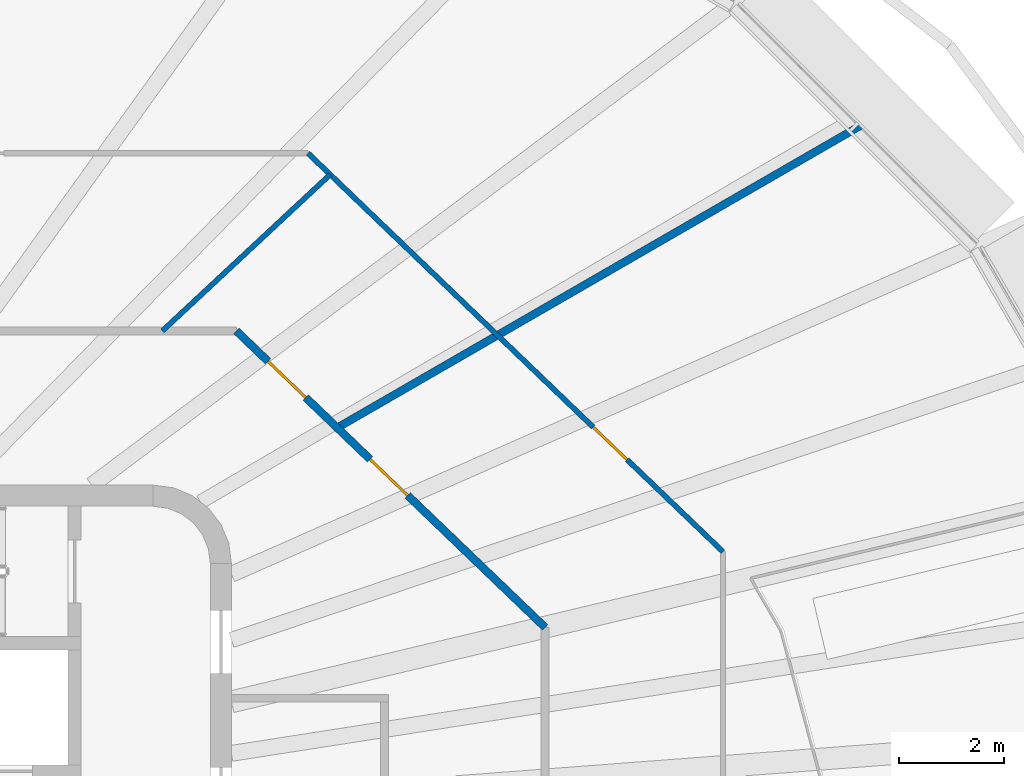
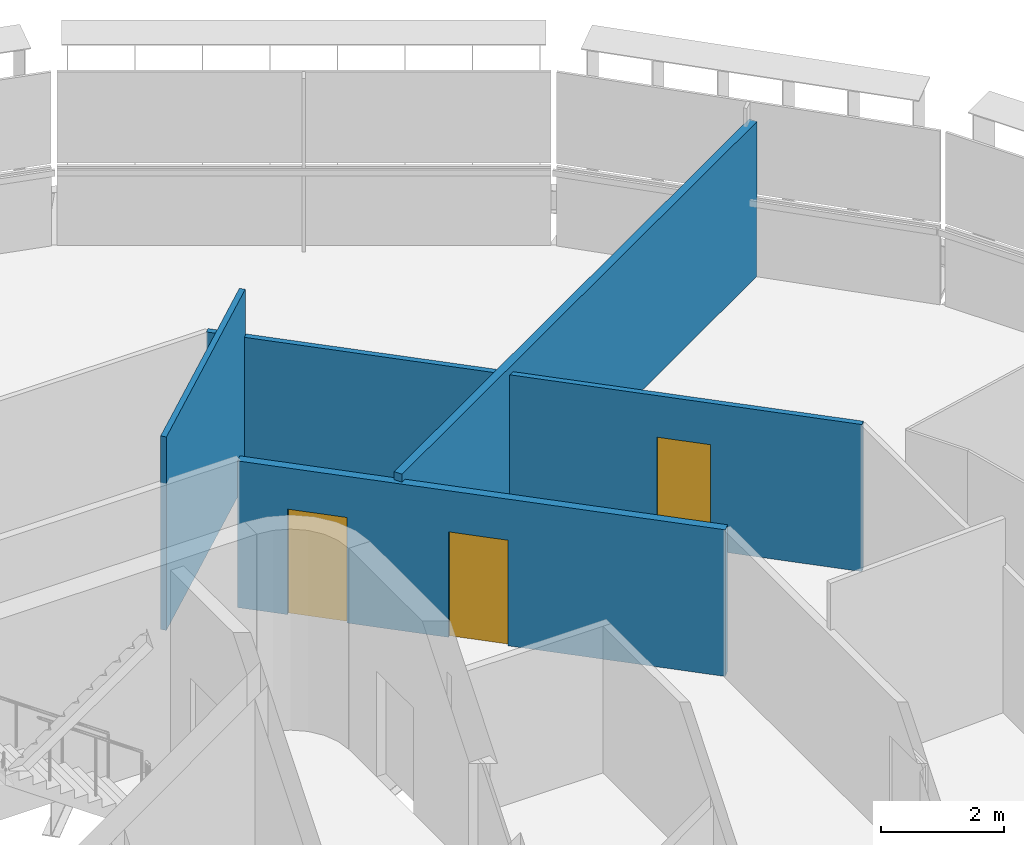
# One storey, part 12 of 21: 4 walls, 3 doors, 3 openings.
"""IFC4 building model written with IfcOpenShell, lengths in metres."""

import ifcopenshell
import ifcopenshell.guid

model = None  # the IFC model being written
_history = None  # IfcOwnerHistory: only IFC2X3 demands one
_inside = {}  # id of a spatial element -> (the spatial element, [elements in it])
_under = {}  # id of a project, library or spatial element -> (it, [spatial elements below it])
_declared = {}  # id of a project -> (the project, [libraries it declares])
_typed = {}  # id of a type object -> (the type object, [elements of that type])
_made_of = {}  # id of a material, layer set ... -> (it, [elements and type objects made of it])


def new_model(schema):
    """Start an empty IFC model of exactly this schema.

    Asked for "IFC4X3", IfcOpenShell would pick the latest addendum, in which some entities
    have other attributes; the version numbers below select the first issue.
    IFC2X3 requires an IfcOwnerHistory on every rooted entity: one is made here for all.
    """
    global model, _history
    if schema == "IFC4X3":
        model = ifcopenshell.file(schema_version=(4, 3, 0, 0))
    else:
        model = ifcopenshell.file(schema=schema)
    _inside.clear()
    _under.clear()
    _declared.clear()
    _typed.clear()
    _made_of.clear()
    _history = None
    if model.schema == "IFC2X3":
        org = make("IfcOrganization", Name="unknown")
        user = make(
            "IfcPersonAndOrganization",
            ThePerson=make("IfcPerson", FamilyName="unknown"),
            TheOrganization=org,
        )
        app = make(
            "IfcApplication",
            ApplicationDeveloper=org,
            Version="unknown",
            ApplicationFullName="unknown",
            ApplicationIdentifier="unknown",
        )
        _history = make(
            "IfcOwnerHistory",
            OwningUser=user,
            OwningApplication=app,
            ChangeAction="ADDED",
            CreationDate=0,
        )
    return model


def make(cls, **values):
    """One entity of the class cls with the attributes given. An attribute that is None is left unset."""
    return model.create_entity(
        cls, **{name: value for name, value in values.items() if value is not None}
    )


def rooted(cls, **values):
    """An entity with a GlobalId (a new one), such as an element, a storey or a relation."""
    return make(cls, GlobalId=ifcopenshell.guid.new(), OwnerHistory=_history, **values)


def si_unit(unit_type, name, prefix=None):
    """IfcSIUnit, for example si_unit("LENGTHUNIT", "METRE", prefix="MILLI")."""
    return make("IfcSIUnit", UnitType=unit_type, Prefix=prefix, Name=name)


def assignment(units):
    """IfcUnitAssignment: the units of a project."""
    return None if units is None else make("IfcUnitAssignment", Units=units)


def point(xyz):
    """IfcCartesianPoint."""
    return None if xyz is None else make("IfcCartesianPoint", Coordinates=xyz)


def direction(xyz):
    """IfcDirection."""
    return None if xyz is None else make("IfcDirection", DirectionRatios=xyz)


def frame(location, z_axis=None, x_axis=None):
    """IfcAxis2Placement3D, a coordinate frame: its origin and axes. An axis left out is left unset."""
    return make(
        "IfcAxis2Placement3D",
        Location=point(location),
        Axis=direction(z_axis),
        RefDirection=direction(x_axis),
    )


def frame_2d(location, x_axis=None):
    """IfcAxis2Placement2D, a coordinate frame in the plane: its origin and x axis."""
    return make(
        "IfcAxis2Placement2D", Location=point(location), RefDirection=direction(x_axis)
    )


def origin():
    """The frame at (0, 0, 0) with its axes left unset."""
    return frame((0.0, 0.0, 0.0))


def place(relative_to, where):
    """IfcLocalPlacement: puts the frame where relative to a parent placement (None: the world)."""
    return make(
        "IfcLocalPlacement", PlacementRelTo=relative_to, RelativePlacement=where
    )


def context(
    kind, dimensions, precision=None, world=None, true_north=None, identifier=None
):
    """IfcGeometricRepresentationContext, for example the 3D "Model" context."""
    return make(
        "IfcGeometricRepresentationContext",
        ContextIdentifier=identifier,
        ContextType=kind,
        CoordinateSpaceDimension=dimensions,
        Precision=precision,
        WorldCoordinateSystem=world,
        TrueNorth=true_north,
    )


def subcontext(parent, identifier, kind, view, scale=None):
    """IfcGeometricRepresentationSubContext, for example "Body" below "Model"."""
    return make(
        "IfcGeometricRepresentationSubContext",
        ContextIdentifier=identifier,
        ContextType=kind,
        ParentContext=parent,
        TargetScale=scale,
        TargetView=view,
    )


def project(units=None, contexts=None):
    """IfcProject with its units and contexts."""
    return rooted(
        "IfcProject",
        Name="project",
        RepresentationContexts=contexts,
        UnitsInContext=assignment(units),
    )


def spatial(cls, under=None, at=None, **own):
    """A site, building, storey or space (cls), placed at a placement, below another one or the project."""
    s = rooted(cls, ObjectPlacement=at, **own)
    if under is not None:
        _under.setdefault(under.id(), (under, []))[1].append(s)
    return s


def profile(cls, at=None, kind="AREA", **sizes):
    """A parametric profile (cls). Its sizes go by their IFC names, for example OverallWidth=200.0."""
    return make(cls, ProfileType=kind, Position=at, **sizes)


def rectangle(**sizes):
    """IfcRectangleProfileDef."""
    return profile("IfcRectangleProfileDef", **sizes)


def extrude(swept, where, along, depth):
    """IfcExtrudedAreaSolid: the profile swept, set in the frame where, extruded along a direction by depth."""
    return make(
        "IfcExtrudedAreaSolid",
        SweptArea=swept,
        Position=where,
        ExtrudedDirection=direction(along),
        Depth=depth,
    )


def shape(context_of_items, identifier, shape_type, items):
    """IfcShapeRepresentation: the items that make up one representation, for example the "Body"."""
    return make(
        "IfcShapeRepresentation",
        ContextOfItems=context_of_items,
        RepresentationIdentifier=identifier,
        RepresentationType=shape_type,
        Items=items,
    )


def material(Name=None, Category=None):
    """IfcMaterial."""
    return make("IfcMaterial", Name=Name, Category=Category)


def layer(
    of_material, thickness, ventilated=None, Name=None, Category=None, Priority=None
):
    """IfcMaterialLayer: one layer of a wall or slab, of a material (None: an air gap)."""
    return make(
        "IfcMaterialLayer",
        Material=of_material,
        LayerThickness=thickness,
        IsVentilated=ventilated,
        Name=Name,
        Category=Category,
        Priority=Priority,
    )


def layer_set(layers, Name=None):
    """IfcMaterialLayerSet."""
    return make("IfcMaterialLayerSet", MaterialLayers=layers, LayerSetName=Name)


def made_of(thing, what):
    """Note that an element or type object is made of a material, layer set ...; save() writes the relation."""
    if what is not None:
        _made_of.setdefault(what.id(), (what, []))[1].append(thing)
    return thing


def type_object(cls, material=None, **own):
    """A type object (cls), such as IfcWallType, which elements share."""
    return made_of(rooted(cls, **own), material)


def element(
    cls,
    number,
    at=None,
    inside=None,
    cuts=None,
    type_object=None,
    material=None,
    context=None,
    identifier="Body",
    shape_type=None,
    held_by="IfcProductDefinitionShape",
    body=None,
    shapes=None,
    **own,
):
    """One element of the class cls, such as IfcWall. Its Tag is "e" and its number.

    at: its placement. inside: the storey or other place that contains it. cuts: it is an
    opening in that element (IfcRelVoidsElement). A single representation is given by context,
    identifier, shape_type and body (its items); several are given by shapes. held_by: the class
    of the entity that holds the representations. save() writes the other relations.
    """
    e = rooted(cls, Tag="e%d" % number, ObjectPlacement=at, **own)
    if body is not None:
        shapes = [shape(context, identifier, shape_type, body)]
    if shapes is not None:
        e.Representation = make(held_by, Representations=shapes)
    if inside is not None:
        _inside.setdefault(inside.id(), (inside, []))[1].append(e)
    if cuts is not None:
        rooted(
            "IfcRelVoidsElement", RelatingBuildingElement=cuts, RelatedOpeningElement=e
        )
    if type_object is not None:
        _typed.setdefault(type_object.id(), (type_object, []))[1].append(e)
    return made_of(e, material)


def fill(opening, filler):
    """IfcRelFillsElement: the door or window that sits in an opening."""
    return rooted(
        "IfcRelFillsElement",
        RelatingOpeningElement=opening,
        RelatedBuildingElement=filler,
    )


def aggregate(whole, parts):
    """IfcRelAggregates: a whole, such as a stair, and the parts it consists of."""
    return rooted("IfcRelAggregates", RelatingObject=whole, RelatedObjects=parts)


def save(model, path):
    """Write the relations noted so far, then the file.

    IfcRelAggregates (storeys below a building ...), IfcRelContainedInSpatialStructure (elements
    in a storey), IfcRelDefinesByType, IfcRelAssociatesMaterial and IfcRelDeclares: one each for
    every whole, place, type object, material and project.
    """
    for whole, parts in _under.values():
        aggregate(whole, parts)
    for where, things in _inside.values():
        rooted(
            "IfcRelContainedInSpatialStructure",
            RelatedElements=things,
            RelatingStructure=where,
        )
    for kind, things in _typed.values():
        rooted("IfcRelDefinesByType", RelatedObjects=things, RelatingType=kind)
    for what, things in _made_of.values():
        rooted("IfcRelAssociatesMaterial", RelatedObjects=things, RelatingMaterial=what)
    for by, libraries in _declared.values():
        rooted("IfcRelDeclares", RelatingContext=by, RelatedDefinitions=libraries)
    model.write(path)


model = new_model("IFC4")

# Units and contexts
model_context = context("Model", 3, precision=1e-05, world=origin(), true_north=direction((0.0, 1.0)))
body_context = subcontext(model_context, "Body", "Model", "MODEL_VIEW")
ifc_project = project(units=[si_unit("LENGTHUNIT", "METRE"), si_unit("AREAUNIT", "SQUARE_METRE"), si_unit("VOLUMEUNIT", "CUBIC_METRE"), si_unit("PLANEANGLEUNIT", "RADIAN"), si_unit("MASSUNIT", "GRAM", prefix="KILO")], contexts=[model_context])

# Site, building, storey
site_placement = place(None, origin())
site = spatial("IfcSite", under=ifc_project, at=site_placement, CompositionType="ELEMENT")
building_placement = place(site_placement, origin())
building = spatial("IfcBuilding", under=site, at=building_placement, Name="Sahrelin Media Tower", CompositionType="ELEMENT")
storey_placement = place(building_placement, frame((0.0, 0.0, 259.0)))
storey = spatial("IfcBuildingStorey", under=building, at=storey_placement, Name="L56", CompositionType="ELEMENT", Elevation=259.0)

# Wall, openings, doors
ifc_material_1 = material(Name="Fire-rated gypsum board partition")
ifc_layer_1 = layer(ifc_material_1, 0.14990234375)
ifc_layer_set_1 = layer_set([ifc_layer_1], Name="Fire-rated partition 150")
wall_type_1 = type_object("IfcWallType", Name="Fire-rated partition 150", PredefinedType="PARTITIONING", material=ifc_layer_set_1)
wall_1_placement = place(storey_placement, frame((12.094970703125, 9.948974609375, 0.0), z_axis=(0.0, 0.0, 1.0), x_axis=(0.721290181137, -0.692633001376, 0.0)))
wall_1 = element("IfcWall", 1, at=wall_1_placement, inside=storey, type_object=wall_type_1, Name="Wall", PredefinedType="PARTITIONING", context=body_context, shape_type="SweptSolid", body=[
    extrude(rectangle(XDim=8.18701171875, YDim=0.14990234375, at=frame_2d((4.093505859375, 0.0))), origin(), (0.0, 0.0, 1.0), 2.918212890625),
])
opening_1_placement = place(wall_1_placement, frame((0.8388671875, 0.0, 0.0)))
opening_1 = element("IfcOpeningElement", 2, at=opening_1_placement, cuts=wall_1, Name="Opening L56-D18", PredefinedType="OPENING", context=body_context, shape_type="SweptSolid", body=[
    extrude(rectangle(XDim=1.0, YDim=2.10009765625, at=frame_2d((0.5, 1.050048828125))), frame((0.0, 0.074951171875, 0.0), z_axis=(0.0, -1.0, 0.0), x_axis=(1.0, 0.0, 0.0)), (0.0, 0.0, 1.0), 0.14990234375),
])
opening_2_placement = place(wall_1_placement, frame((3.541748046875, 0.0, 0.0)))
opening_2 = element("IfcOpeningElement", 3, at=opening_2_placement, cuts=wall_1, Name="Opening L56-D35", PredefinedType="OPENING", context=body_context, shape_type="SweptSolid", body=[
    extrude(rectangle(XDim=1.0, YDim=2.10009765625, at=frame_2d((0.5, 1.050048828125))), frame((0.0, 0.074951171875, 0.0), z_axis=(0.0, -1.0, 0.0), x_axis=(1.0, 0.0, 0.0)), (0.0, 0.0, 1.0), 0.14990234375),
])
ifc_material_2 = material(Name="Steel fire door leaf", Category="steel")
door_type_1 = type_object("IfcDoorType", Name="Fire door 1000 x 2100 EI 60", OperationType="NOTDEFINED", PredefinedType="DOOR", material=ifc_material_2)
door_1_placement = place(opening_1_placement, origin())
door_1 = element("IfcDoor", 4, at=door_1_placement, inside=storey, type_object=door_type_1, Name="Fire door", OperationType="SINGLE_SWING_LEFT", OverallHeight=2.10009765625, OverallWidth=1.0, PredefinedType="DOOR", context=body_context, shape_type="SweptSolid", body=[
    extrude(rectangle(XDim=1.0, YDim=2.10009765625, at=frame_2d((0.5, 1.050048828125))), frame((0.0, 0.02490234375, 0.0), z_axis=(0.0, -1.0, 0.0), x_axis=(1.0, 0.0, 0.0)), (0.0, 0.0, 1.0), 0.050048828125),
])
fill(opening_1, door_1)
door_2_placement = place(opening_2_placement, origin())
door_2 = element("IfcDoor", 5, at=door_2_placement, inside=storey, type_object=door_type_1, Name="Fire door", OperationType="SINGLE_SWING_LEFT", OverallHeight=2.10009765625, OverallWidth=1.0, PredefinedType="DOOR", context=body_context, shape_type="SweptSolid", body=[
    extrude(rectangle(XDim=1.0, YDim=2.10009765625, at=frame_2d((0.5, 1.050048828125))), frame((0.0, 0.02490234375, 0.0), z_axis=(0.0, -1.0, 0.0), x_axis=(1.0, 0.0, 0.0)), (0.0, 0.0, 1.0), 0.050048828125),
])
fill(opening_2, door_2)

# Wall
wall_2_placement = place(storey_placement, frame((14.02392578125, 8.096923828125, 0.0), z_axis=(0.0, 0.0, 1.0), x_axis=(0.866020528885, 0.500008443478, 0.0)))
element("IfcWall", 6, at=wall_2_placement, inside=storey, type_object=wall_type_1, Name="Wall", PredefinedType="PARTITIONING", context=body_context, shape_type="SweptSolid", body=[
    extrude(rectangle(XDim=11.576904296875, YDim=0.14990234375, at=frame_2d((5.78857421875, 0.0))), origin(), (0.0, 0.0, 1.0), 3.075927734375),
])

# Wall, opening, door
ifc_material_3 = material(Name="Gypsum board partition")
ifc_layer_2 = layer(ifc_material_3, 0.10009765625)
ifc_layer_set_2 = layer_set([ifc_layer_2], Name="Partition 100")
wall_type_2 = type_object("IfcWallType", Name="Partition 100", PredefinedType="PARTITIONING", material=ifc_layer_set_2)
wall_3_placement = place(storey_placement, frame((13.462890625, 13.34912109375, 0.0), z_axis=(0.0, 0.0, 1.0), x_axis=(0.721293766873, -0.692629267264, 0.0)))
wall_3 = element("IfcWall", 7, at=wall_3_placement, inside=storey, type_object=wall_type_2, Name="Wall", PredefinedType="PARTITIONING", context=body_context, shape_type="SweptSolid", body=[
    extrude(rectangle(XDim=11.004150390625, YDim=0.10009765625, at=frame_2d((5.501953125, 0.0))), origin(), (0.0, 0.0, 1.0), 2.927001953125),
])
opening_3_placement = place(wall_3_placement, frame((7.56494140625, 0.0, 0.0)))
opening_3 = element("IfcOpeningElement", 8, at=opening_3_placement, cuts=wall_3, Name="Opening L56-D36", PredefinedType="OPENING", context=body_context, shape_type="SweptSolid", body=[
    extrude(rectangle(XDim=0.89990234375, YDim=2.10009765625, at=frame_2d((0.449951171875, 1.050048828125))), frame((0.0, 0.050048828125, 0.0), z_axis=(0.0, -1.0, 0.0), x_axis=(1.0, 0.0, 0.0)), (0.0, 0.0, 1.0), 0.10009765625),
])
ifc_material_4 = material(Name="Timber door leaf", Category="wood")
door_type_2 = type_object("IfcDoorType", Name="Single door 900 x 2100", OperationType="NOTDEFINED", PredefinedType="DOOR", material=ifc_material_4)
door_3_placement = place(opening_3_placement, origin())
door_3 = element("IfcDoor", 9, at=door_3_placement, inside=storey, type_object=door_type_2, Name="Single door", OperationType="SINGLE_SWING_LEFT", OverallHeight=2.10009765625, OverallWidth=0.89990234375, PredefinedType="DOOR", context=body_context, shape_type="SweptSolid", body=[
    extrude(rectangle(XDim=0.89990234375, YDim=2.10009765625, at=frame_2d((0.449951171875, 1.050048828125))), frame((0.0, 0.02490234375, 0.0), z_axis=(0.0, -1.0, 0.0), x_axis=(1.0, 0.0, 0.0)), (0.0, 0.0, 1.0), 0.050048828125),
])
fill(opening_3, door_3)

# Wall
wall_4_placement = place(storey_placement, frame((10.678955078125, 9.948974609375, 0.0), z_axis=(0.0, 0.0, 1.0), x_axis=(0.731623098171, 0.681709353187, 0.0)))
element("IfcWall", 10, at=wall_4_placement, inside=storey, type_object=wall_type_2, Name="Wall", PredefinedType="PARTITIONING", context=body_context, shape_type="SweptSolid", body=[
    extrude(rectangle(XDim=4.387451171875, YDim=0.10009765625, at=frame_2d((2.19384765625, 0.0))), origin(), (0.0, 0.0, 1.0), 3.85009765625),
])

save(model, "model.ifc")
